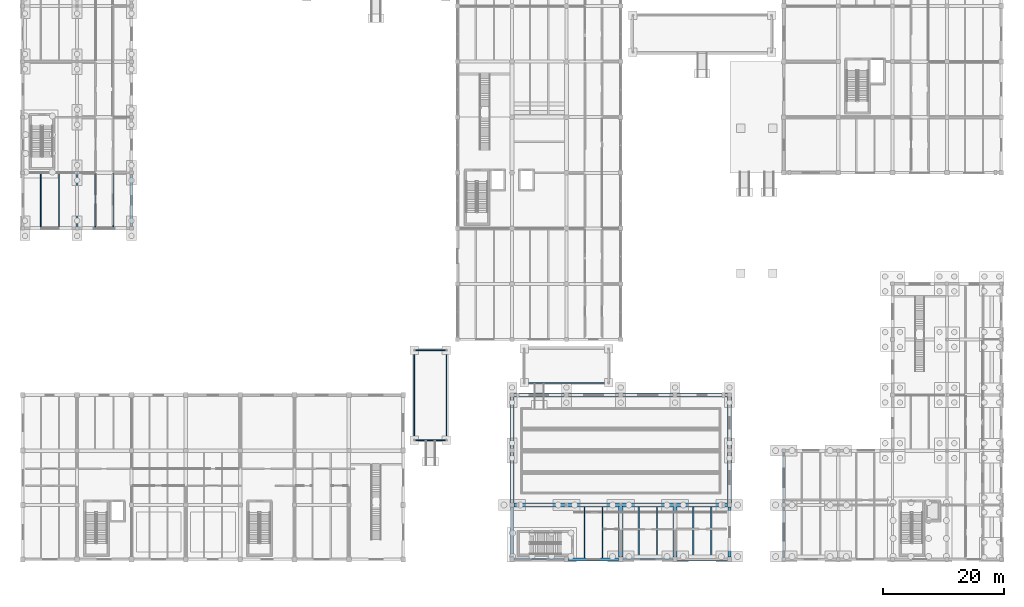
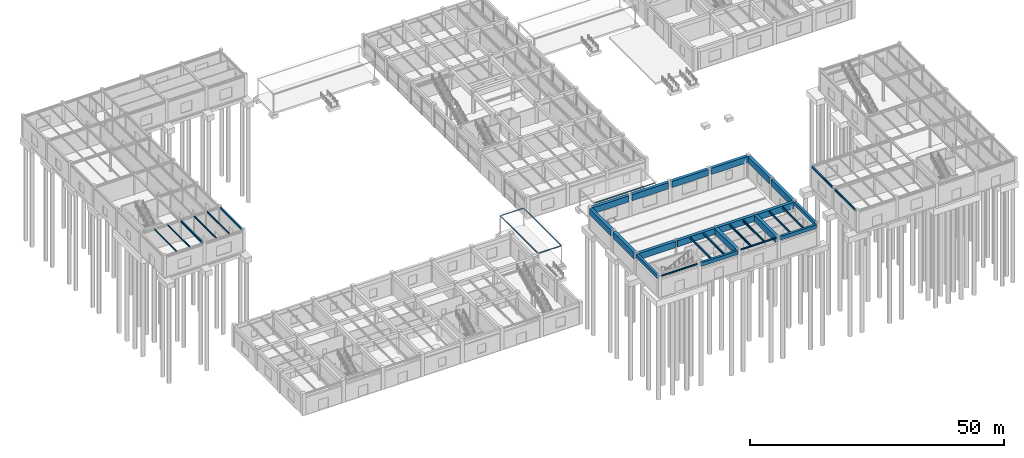
# One storey, part 27 of 76: 34 beams, 5 members.
"""IFC4 building model written with IfcOpenShell, lengths in metres."""

from ifc_helpers import new_model, si_unit, direction, frame, origin, origin_2d, place, context, subcontext, project, spatial, rectangle, hollow_rectangle, i_section, extrude, material, material_profile, profile_set, type_object, element, save


model = new_model("IFC4")

# Units and contexts
model_context = context("Model", 3, precision=1e-05, world=origin(), true_north=direction((0.0, 1.0)))
body_context = subcontext(model_context, "Body", "Model", "MODEL_VIEW")
ifc_project = project(units=[si_unit("LENGTHUNIT", "METRE"), si_unit("AREAUNIT", "SQUARE_METRE"), si_unit("VOLUMEUNIT", "CUBIC_METRE"), si_unit("PLANEANGLEUNIT", "RADIAN"), si_unit("MASSUNIT", "GRAM", prefix="KILO")], contexts=[model_context])

# Site, building, storey
site_placement = place(None, origin())
site = spatial("IfcSite", under=ifc_project, at=site_placement, CompositionType="ELEMENT")
building_placement = place(site_placement, origin())
building = spatial("IfcBuilding", under=site, at=building_placement, Name="Bozkorgan Art Gallery", CompositionType="ELEMENT")
storey_placement = place(building_placement, origin())
storey = spatial("IfcBuildingStorey", under=building, at=storey_placement, Name="L00", CompositionType="ELEMENT", Elevation=0.0)

# Beams
ifc_material_1 = material(Name="Concrete C35/45", Category="concrete")
ifc_material_profile_1 = material_profile(ifc_material_1, rectangle(XDim=0.699951171875, YDim=1.5, at=origin_2d()), Name="RC 700x1500")
ifc_profile_set_1 = profile_set([ifc_material_profile_1], Name="Concrete C35/45")
beam_type_1 = type_object("IfcBeamType", Name="BEAM-BM-03", PredefinedType="BEAM", material=ifc_profile_set_1)
beam_1_placement = place(storey_placement, frame((83.35009765625, 11.0, 4.31005859375), z_axis=(1.0, 0.0, 0.0), x_axis=(0.0, 1.0, 0.0)))
element("IfcBeam", 1, at=beam_1_placement, inside=storey, type_object=beam_type_1, Name="V3 L00 beam X (83-92, 11.0)", PredefinedType="BEAM", context=body_context, shape_type="SweptSolid", body=[
    extrude(rectangle(XDim=0.699951171875, YDim=1.5, at=origin_2d()), origin(), (0.0, 0.0, 1.0), 8.5),
])
for number, where, z_axis, x_axis, name in (
    (2, (92.14990234375, 11.0, 4.31005859375), (1.0, 0.0, 0.0), (0.0, 1.0, 0.0), "V3 L00 beam X (92-101, 11.0)"),
    (3, (101.14990234375, 11.0, 4.31005859375), (1.0, 0.0, 0.0), (0.0, 1.0, 0.0), "V3 L00 beam X (101-110, 11.0)"),
):
    element("IfcBeam", number, at=place(storey_placement, frame(where, z_axis=z_axis, x_axis=x_axis)), inside=storey, type_object=beam_type_1, Name=name, PredefinedType="BEAM", context=body_context, shape_type="SweptSolid", body=[
        extrude(rectangle(XDim=0.699951171875, YDim=1.5, at=origin_2d()), origin(), (0.0, 0.0, 1.0), 8.7001953125),
    ])
beam_2_placement = place(storey_placement, frame((110.14990234375, 11.0, 4.31005859375), z_axis=(1.0, 0.0, 0.0), x_axis=(0.0, 1.0, 0.0)))
element("IfcBeam", 4, at=beam_2_placement, inside=storey, type_object=beam_type_1, Name="V3 L00 beam X (110-119, 11.0)", PredefinedType="BEAM", context=body_context, shape_type="SweptSolid", body=[
    extrude(rectangle(XDim=0.699951171875, YDim=1.5, at=origin_2d()), origin(), (0.0, 0.0, 1.0), 8.5),
])
for number, where, z_axis, x_axis, name in (
    (5, (83.35009765625, 29.199951171875, 4.31005859375), (1.0, 0.0, 0.0), (0.0, 1.0, 0.0), "V3 L00 beam X (83-92, 29.2)"),
    (6, (92.35009765625, 29.199951171875, 4.31005859375), (1.0, 0.0, 0.0), (0.0, 1.0, 0.0), "V3 L00 beam X (92-101, 29.2)"),
    (7, (101.35009765625, 29.199951171875, 4.31005859375), (1.0, 0.0, 0.0), (0.0, 1.0, 0.0), "V3 L00 beam X (101-110, 29.2)"),
    (8, (110.35009765625, 29.199951171875, 4.31005859375), (1.0, 0.0, 0.0), (0.0, 1.0, 0.0), "V3 L00 beam X (110-119, 29.2)"),
    (9, (83.0, 11.35009765625, 4.31005859375), (0.0, 1.0, 0.0), (-1.0, 0.0, 0.0), "V3 L00 beam Y (83, 11.0-20.0)"),
):
    element("IfcBeam", number, at=place(storey_placement, frame(where, z_axis=z_axis, x_axis=x_axis)), inside=storey, type_object=beam_type_1, Name=name, PredefinedType="BEAM", context=body_context, shape_type="SweptSolid", body=[
        extrude(rectangle(XDim=0.699951171875, YDim=1.5, at=origin_2d()), origin(), (0.0, 0.0, 1.0), 8.2998046875),
    ])
beam_3_placement = place(storey_placement, frame((83.0, 20.35009765625, 4.31005859375), z_axis=(0.0, 1.0, 0.0), x_axis=(-1.0, 0.0, 0.0)))
element("IfcBeam", 10, at=beam_3_placement, inside=storey, type_object=beam_type_1, Name="V3 L00 beam Y (83, 20.0-29.2)", PredefinedType="BEAM", context=body_context, shape_type="SweptSolid", body=[
    extrude(rectangle(XDim=0.699951171875, YDim=1.5, at=origin_2d()), origin(), (0.0, 0.0, 1.0), 8.5),
])
for number, where, z_axis, x_axis, name in (
    (11, (101.0, 2.35009765625, 4.31005859375), (0.0, 1.0, 0.0), (-1.0, 0.0, 0.0), "V3 L00 beam Y (101, 2.0-11.0)"),
    (12, (110.0, 2.35009765625, 4.31005859375), (0.0, 1.0, 0.0), (-1.0, 0.0, 0.0), "V3 L00 beam Y (110, 2.0-11.0)"),
):
    element("IfcBeam", number, at=place(storey_placement, frame(where, z_axis=z_axis, x_axis=x_axis)), inside=storey, type_object=beam_type_1, Name=name, PredefinedType="BEAM", context=body_context, shape_type="SweptSolid", body=[
        extrude(rectangle(XDim=0.699951171875, YDim=1.5, at=origin_2d()), origin(), (0.0, 0.0, 1.0), 8.4248046875),
    ])
beam_4_placement = place(storey_placement, frame((119.0, 11.35009765625, 4.31005859375), z_axis=(0.0, 1.0, 0.0), x_axis=(-1.0, 0.0, 0.0)))
element("IfcBeam", 13, at=beam_4_placement, inside=storey, type_object=beam_type_1, Name="V3 L00 beam Y (119, 11.0-20.0)", PredefinedType="BEAM", context=body_context, shape_type="SweptSolid", body=[
    extrude(rectangle(XDim=0.699951171875, YDim=1.5, at=origin_2d()), origin(), (0.0, 0.0, 1.0), 8.2998046875),
])
beam_5_placement = place(storey_placement, frame((119.0, 20.35009765625, 4.31005859375), z_axis=(0.0, 1.0, 0.0), x_axis=(-1.0, 0.0, 0.0)))
element("IfcBeam", 14, at=beam_5_placement, inside=storey, type_object=beam_type_1, Name="V3 L00 beam Y (119, 20.0-29.2)", PredefinedType="BEAM", context=body_context, shape_type="SweptSolid", body=[
    extrude(rectangle(XDim=0.699951171875, YDim=1.5, at=origin_2d()), origin(), (0.0, 0.0, 1.0), 8.5),
])
ifc_material_2 = material(Name="Steel S355J2", Category="steel")
ifc_material_profile_2 = material_profile(ifc_material_2, i_section(OverallWidth=0.300048828125, OverallDepth=0.43994140625, WebThickness=0.011474609375, FlangeThickness=0.02099609375, FilletRadius=0.027099609375, at=origin_2d()), Name="HEA 450")
ifc_profile_set_2 = profile_set([ifc_material_profile_2], Name="Steel S355J2")
beam_type_2 = type_object("IfcBeamType", Name="BEAM-BM-76", PredefinedType="BEAM", material=ifc_profile_set_2)
beam_6_placement = place(storey_placement, frame((11.0, 57.10009765625, 4.840087890625), z_axis=(0.0, 1.0, 0.0), x_axis=(-1.0, 0.0, 0.0)))
element("IfcBeam", 15, at=beam_6_placement, inside=storey, type_object=beam_type_2, Name="V2 L00 beam Y (11, 56.8-66.0)", PredefinedType="BEAM", context=body_context, shape_type="SweptSolid", body=[
    extrude(i_section(OverallWidth=0.300048828125, OverallDepth=0.43994140625, WebThickness=0.011474609375, FlangeThickness=0.02099609375, FilletRadius=0.027099609375, at=origin_2d()), origin(), (0.0, 0.0, 1.0), 8.72998046875),
])
ifc_material_profile_3 = material_profile(ifc_material_2, i_section(OverallWidth=0.199951171875, OverallDepth=0.5, WebThickness=0.01025390625, FlangeThickness=0.01611328125, FilletRadius=0.02099609375, at=origin_2d()), Name="IPE 500")
ifc_profile_set_3 = profile_set([ifc_material_profile_3], Name="Steel S355J2")
beam_type_3 = type_object("IfcBeamType", Name="BEAM-JS-79", PredefinedType="JOIST", material=ifc_profile_set_3)
for number, where, z_axis, x_axis, name in (
    (16, (95.0, 2.25, 4.81005859375), (0.0, 1.0, 0.0), (-1.0, 0.0, 0.0), "V3 L00 secondary joist (92-101, 2.0-11.0) #1"),
    (17, (98.0, 2.25, 4.81005859375), (0.0, 1.0, 0.0), (-1.0, 0.0, 0.0), "V3 L00 secondary joist (92-101, 2.0-11.0) #2"),
):
    element("IfcBeam", number, at=place(storey_placement, frame(where, z_axis=z_axis, x_axis=x_axis)), inside=storey, type_object=beam_type_3, Name=name, PredefinedType="JOIST", context=body_context, shape_type="SweptSolid", body=[
        extrude(i_section(OverallWidth=0.199951171875, OverallDepth=0.5, WebThickness=0.01025390625, FlangeThickness=0.01611328125, FilletRadius=0.02099609375, at=origin_2d()), origin(), (0.0, 0.0, 1.0), 8.39990234375),
    ])
for number, where, z_axis, x_axis, name in (
    (18, (104.0, 2.139892578125, 4.81005859375), (0.0, 1.0, 0.0), (-1.0, 0.0, 0.0), "V3 L00 secondary joist (101-110, 2.0-11.0) #1"),
    (19, (107.0, 2.139892578125, 4.81005859375), (0.0, 1.0, 0.0), (-1.0, 0.0, 0.0), "V3 L00 secondary joist (101-110, 2.0-11.0) #2"),
):
    element("IfcBeam", number, at=place(storey_placement, frame(where, z_axis=z_axis, x_axis=x_axis)), inside=storey, type_object=beam_type_3, Name=name, PredefinedType="JOIST", context=body_context, shape_type="SweptSolid", body=[
        extrude(i_section(OverallWidth=0.199951171875, OverallDepth=0.5, WebThickness=0.01025390625, FlangeThickness=0.01611328125, FilletRadius=0.02099609375, at=origin_2d()), origin(), (0.0, 0.0, 1.0), 8.510009765625),
    ])
for number, where, z_axis, x_axis, name in (
    (20, (113.0, 2.25, 4.81005859375), (0.0, 1.0, 0.0), (-1.0, 0.0, 0.0), "V3 L00 secondary joist (110-119, 2.0-11.0) #1"),
    (21, (116.0, 2.25, 4.81005859375), (0.0, 1.0, 0.0), (-1.0, 0.0, 0.0), "V3 L00 secondary joist (110-119, 2.0-11.0) #2"),
):
    element("IfcBeam", number, at=place(storey_placement, frame(where, z_axis=z_axis, x_axis=x_axis)), inside=storey, type_object=beam_type_3, Name=name, PredefinedType="JOIST", context=body_context, shape_type="SweptSolid", body=[
        extrude(i_section(OverallWidth=0.199951171875, OverallDepth=0.5, WebThickness=0.01025390625, FlangeThickness=0.01611328125, FilletRadius=0.02099609375, at=origin_2d()), origin(), (0.0, 0.0, 1.0), 8.39990234375),
    ])
ifc_material_profile_4 = material_profile(ifc_material_2, i_section(OverallWidth=0.14990234375, OverallDepth=0.300048828125, WebThickness=0.007080078125, FlangeThickness=0.0107421875, FilletRadius=0.014892578125, at=origin_2d()), Name="IPE 300")
ifc_profile_set_4 = profile_set([ifc_material_profile_4], Name="Steel S355J2")
beam_type_4 = type_object("IfcBeamType", Name="BEAM-JS-88", PredefinedType="JOIST", material=ifc_profile_set_4)
for number, where, z_axis, x_axis, name in (
    (22, (5.0, 56.949951171875, 4.909912109375), (0.0, 1.0, 0.0), (-1.0, 0.0, 0.0), "V2 L00 secondary joist (2-11, 56.8-66.0) #1"),
    (23, (8.0, 56.949951171875, 4.909912109375), (0.0, 1.0, 0.0), (-1.0, 0.0, 0.0), "V2 L00 secondary joist (2-11, 56.8-66.0) #2"),
    (24, (14.0, 56.949951171875, 4.909912109375), (0.0, 1.0, 0.0), (-1.0, 0.0, 0.0), "V2 L00 secondary joist (11-20, 56.8-66.0) #1"),
    (25, (17.0, 56.949951171875, 4.909912109375), (0.0, 1.0, 0.0), (-1.0, 0.0, 0.0), "V2 L00 secondary joist (11-20, 56.8-66.0) #2"),
):
    element("IfcBeam", number, at=place(storey_placement, frame(where, z_axis=z_axis, x_axis=x_axis)), inside=storey, type_object=beam_type_4, Name=name, PredefinedType="JOIST", context=body_context, shape_type="SweptSolid", body=[
        extrude(i_section(OverallWidth=0.14990234375, OverallDepth=0.300048828125, WebThickness=0.007080078125, FlangeThickness=0.0107421875, FilletRadius=0.014892578125, at=origin_2d()), origin(), (0.0, 0.0, 1.0), 8.900146484375),
    ])
ifc_material_profile_5 = material_profile(ifc_material_2, i_section(OverallWidth=0.280029296875, OverallDepth=0.27001953125, WebThickness=0.008056640625, FlangeThickness=0.012939453125, FilletRadius=0.02392578125, at=origin_2d()), Name="HEA 280")
ifc_profile_set_5 = profile_set([ifc_material_profile_5], Name="Steel S355J2")
beam_type_5 = type_object("IfcBeamType", Name="BEAM-LN-17", PredefinedType="LINTEL", material=ifc_profile_set_5)
for number, where, z_axis, x_axis, name in (
    (26, (83.35009765625, 2.0, 4.925048828125), (1.0, 0.0, 0.0), (0.0, 1.0, 0.0), "V3 L00 lintel X (83-92, 2.0)"),
    (27, (101.35009765625, 2.0, 4.925048828125), (1.0, 0.0, 0.0), (0.0, 1.0, 0.0), "V3 L00 lintel X (101-110, 2.0)"),
):
    element("IfcBeam", number, at=place(storey_placement, frame(where, z_axis=z_axis, x_axis=x_axis)), inside=storey, type_object=beam_type_5, Name=name, PredefinedType="LINTEL", context=body_context, shape_type="SweptSolid", body=[
        extrude(i_section(OverallWidth=0.280029296875, OverallDepth=0.27001953125, WebThickness=0.008056640625, FlangeThickness=0.012939453125, FilletRadius=0.02392578125, at=origin_2d()), origin(), (0.0, 0.0, 1.0), 8.2998046875),
    ])
ifc_material_profile_6 = material_profile(ifc_material_1, rectangle(XDim=0.5, YDim=0.85009765625, at=origin_2d()), Name="RC 500x850")
ifc_profile_set_6 = profile_set([ifc_material_profile_6], Name="Concrete C35/45")
beam_type_6 = type_object("IfcBeamType", Name="BEAM-SP-30", PredefinedType="SPANDREL", material=ifc_profile_set_6)
for number, where, z_axis, x_axis, name in (
    (28, (92.35009765625, 2.0, 4.635009765625), (1.0, 0.0, 0.0), (0.0, 1.0, 0.0), "V3 L00 spandrel X (92-101, 2.0)"),
    (29, (110.35009765625, 2.0, 4.635009765625), (1.0, 0.0, 0.0), (0.0, 1.0, 0.0), "V3 L00 spandrel X (110-119, 2.0)"),
    (30, (83.0, 2.35009765625, 4.635009765625), (0.0, 1.0, 0.0), (-1.0, 0.0, 0.0), "V3 L00 spandrel Y (83, 2.0-11.0)"),
    (31, (119.0, 2.35009765625, 4.635009765625), (0.0, 1.0, 0.0), (-1.0, 0.0, 0.0), "V3 L00 spandrel Y (119, 2.0-11.0)"),
):
    element("IfcBeam", number, at=place(storey_placement, frame(where, z_axis=z_axis, x_axis=x_axis)), inside=storey, type_object=beam_type_6, Name=name, PredefinedType="SPANDREL", context=body_context, shape_type="SweptSolid", body=[
        extrude(rectangle(XDim=0.5, YDim=0.85009765625, at=origin_2d()), origin(), (0.0, 0.0, 1.0), 8.2998046875),
    ])
ifc_material_profile_7 = material_profile(ifc_material_2, i_section(OverallWidth=0.300048828125, OverallDepth=0.389892578125, WebThickness=0.010986328125, FlangeThickness=0.01904296875, FilletRadius=0.027099609375, at=origin_2d()), Name="HEA 400")
ifc_profile_set_7 = profile_set([ifc_material_profile_7], Name="Steel S355J2")
beam_type_7 = type_object("IfcBeamType", Name="BEAM-SP-65", PredefinedType="SPANDREL", material=ifc_profile_set_7)
for number, where, z_axis, x_axis, name in (
    (32, (128.0, 2.300048828125, 4.864990234375), (0.0, 1.0, 0.0), (-1.0, 0.0, 0.0), "V6 L00 spandrel Y (128, 2.0-11.0)"),
    (33, (128.0, 11.300048828125, 4.864990234375), (0.0, 1.0, 0.0), (-1.0, 0.0, 0.0), "V6 L00 spandrel Y (128, 11.0-20.0)"),
):
    element("IfcBeam", number, at=place(storey_placement, frame(where, z_axis=z_axis, x_axis=x_axis)), inside=storey, type_object=beam_type_7, Name=name, PredefinedType="SPANDREL", context=body_context, shape_type="SweptSolid", body=[
        extrude(i_section(OverallWidth=0.300048828125, OverallDepth=0.389892578125, WebThickness=0.010986328125, FlangeThickness=0.01904296875, FilletRadius=0.027099609375, at=origin_2d()), origin(), (0.0, 0.0, 1.0), 8.39990234375),
    ])
ifc_material_profile_8 = material_profile(ifc_material_2, i_section(OverallWidth=0.300048828125, OverallDepth=0.35009765625, WebThickness=0.010009765625, FlangeThickness=0.017578125, FilletRadius=0.027099609375, at=origin_2d()), Name="HEA 360")
ifc_profile_set_8 = profile_set([ifc_material_profile_8], Name="Steel S355J2")
beam_type_8 = type_object("IfcBeamType", Name="BEAM-SP-97", PredefinedType="SPANDREL", material=ifc_profile_set_8)
beam_7_placement = place(storey_placement, frame((20.0, 57.10009765625, 4.885009765625), z_axis=(0.0, 1.0, 0.0), x_axis=(-1.0, 0.0, 0.0)))
element("IfcBeam", 34, at=beam_7_placement, inside=storey, type_object=beam_type_8, Name="V2 L00 spandrel Y (20, 56.8-66.0)", PredefinedType="SPANDREL", context=body_context, shape_type="SweptSolid", body=[
    extrude(i_section(OverallWidth=0.300048828125, OverallDepth=0.35009765625, WebThickness=0.010009765625, FlangeThickness=0.017578125, FilletRadius=0.027099609375, at=origin_2d()), origin(), (0.0, 0.0, 1.0), 8.599853515625),
])

# Members
ifc_material_profile_9 = material_profile(ifc_material_2, hollow_rectangle(XDim=0.14990234375, YDim=0.25, WallThickness=0.010009765625, InnerFilletRadius=0.014892578125, OuterFilletRadius=0.02490234375, at=origin_2d()), Name="RHS 250x150x10")
ifc_profile_set_9 = profile_set([ifc_material_profile_9], Name="Steel S355J2")
member_type = type_object("IfcMemberType", Name="MEMBER-WM-72", PredefinedType="CHORD", material=ifc_profile_set_9)
member_1_placement = place(storey_placement, frame((66.969970703125, 21.75, 4.175048828125), z_axis=(1.0, 0.0, 0.0), x_axis=(0.0, 1.0, 0.0)))
element("IfcMember", 35, at=member_1_placement, inside=storey, type_object=member_type, Name="West Water-Court Covered Walk PTFE sliding edge chord 1", PredefinedType="CHORD", context=body_context, shape_type="SweptSolid", body=[
    extrude(hollow_rectangle(XDim=0.14990234375, YDim=0.25, WallThickness=0.010009765625, InnerFilletRadius=0.014892578125, OuterFilletRadius=0.02490234375, at=origin_2d()), origin(), (0.0, 0.0, 1.0), 5.06005859375),
])
member_2_placement = place(storey_placement, frame((72.14990234375, 21.8701171875, 4.175048828125), z_axis=(0.0, 1.0, 0.0), x_axis=(-1.0, 0.0, 0.0)))
element("IfcMember", 36, at=member_2_placement, inside=storey, type_object=member_type, Name="West Water-Court Covered Walk PTFE sliding edge chord 2", PredefinedType="CHORD", context=body_context, shape_type="SweptSolid", body=[
    extrude(hollow_rectangle(XDim=0.14990234375, YDim=0.25, WallThickness=0.010009765625, InnerFilletRadius=0.014892578125, OuterFilletRadius=0.02490234375, at=origin_2d()), origin(), (0.0, 0.0, 1.0), 14.659912109375),
])
member_3_placement = place(storey_placement, frame((72.030029296875, 36.64990234375, 4.175048828125), z_axis=(-1.0, 0.0, 0.0), x_axis=(0.0, -1.0, 0.0)))
element("IfcMember", 37, at=member_3_placement, inside=storey, type_object=member_type, Name="West Water-Court Covered Walk PTFE sliding edge chord 3", PredefinedType="CHORD", context=body_context, shape_type="SweptSolid", body=[
    extrude(hollow_rectangle(XDim=0.14990234375, YDim=0.25, WallThickness=0.010009765625, InnerFilletRadius=0.014892578125, OuterFilletRadius=0.02490234375, at=origin_2d()), origin(), (0.0, 0.0, 1.0), 5.06005859375),
])
member_4_placement = place(storey_placement, frame((66.85009765625, 36.530029296875, 4.175048828125), z_axis=(0.0, -1.0, 0.0), x_axis=(1.0, 0.0, 0.0)))
element("IfcMember", 38, at=member_4_placement, inside=storey, type_object=member_type, Name="West Water-Court Covered Walk PTFE sliding edge chord 4", PredefinedType="CHORD", context=body_context, shape_type="SweptSolid", body=[
    extrude(hollow_rectangle(XDim=0.14990234375, YDim=0.25, WallThickness=0.010009765625, InnerFilletRadius=0.014892578125, OuterFilletRadius=0.02490234375, at=origin_2d()), origin(), (0.0, 0.0, 1.0), 14.659912109375),
])
member_5_placement = place(storey_placement, frame((85.1201171875, 31.199951171875, 4.175048828125), z_axis=(1.0, 0.0, 0.0), x_axis=(0.0, 1.0, 0.0)))
element("IfcMember", 39, at=member_5_placement, inside=storey, type_object=member_type, Name="Auditorium Foyer Covered Walk PTFE sliding edge chord 1", PredefinedType="CHORD", context=body_context, shape_type="SweptSolid", body=[
    extrude(hollow_rectangle(XDim=0.14990234375, YDim=0.25, WallThickness=0.010009765625, InnerFilletRadius=0.014892578125, OuterFilletRadius=0.02490234375, at=origin_2d()), origin(), (0.0, 0.0, 1.0), 13.759765625),
])

save(model, "model.ifc")
